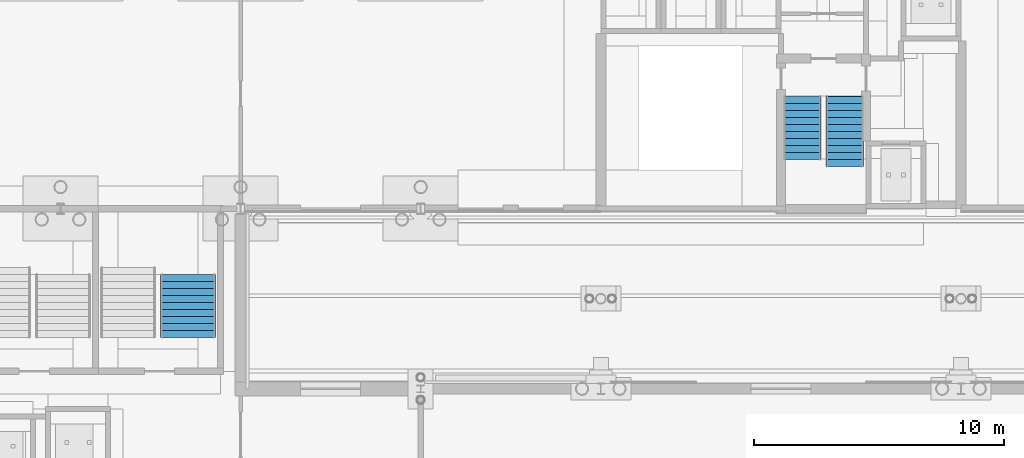
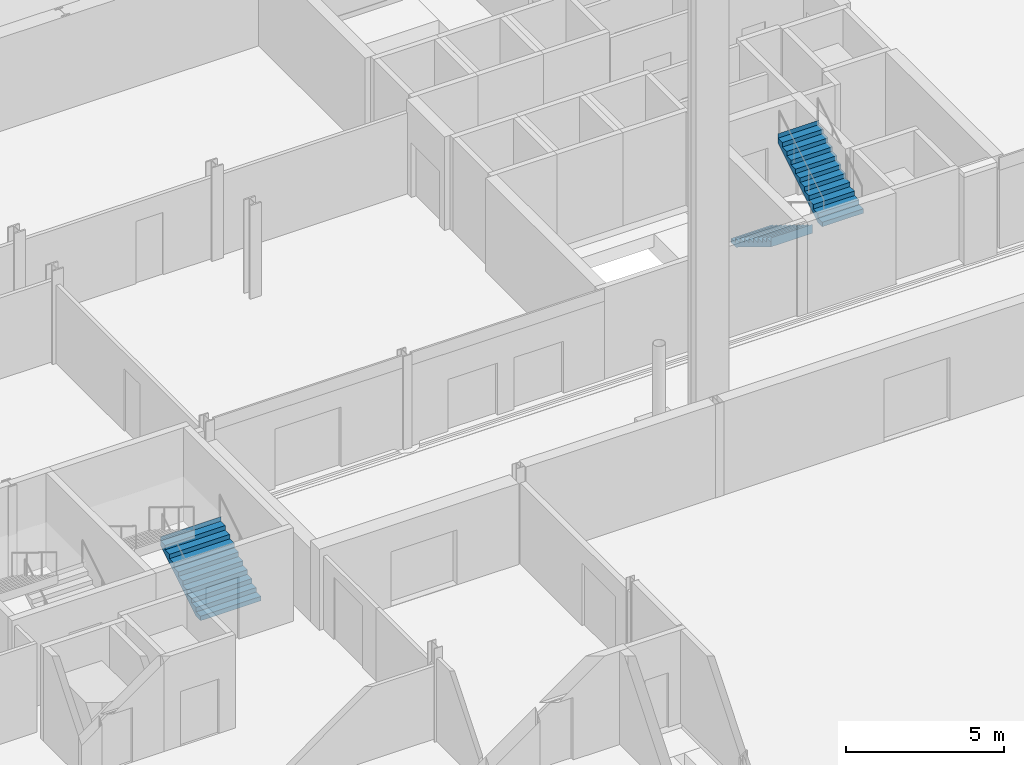
# One storey, part 104 of 148: 3 stair flights, 2 elements without a shape of their own.
"""IFC4 building model written with IfcOpenShell, lengths in metres."""

from ifc_helpers import new_model, si_unit, direction, frame, origin, place, context, subcontext, project, spatial, polyline, outline, extrude, material, type_object, element, aggregate, save


model = new_model("IFC4")

# Units and contexts
model_context = context("Model", 3, precision=1e-05, world=origin(), true_north=direction((0.0, 1.0)))
body_context = subcontext(model_context, "Body", "Model", "MODEL_VIEW")
ifc_project = project(units=[si_unit("LENGTHUNIT", "METRE"), si_unit("AREAUNIT", "SQUARE_METRE"), si_unit("VOLUMEUNIT", "CUBIC_METRE"), si_unit("PLANEANGLEUNIT", "RADIAN"), si_unit("MASSUNIT", "GRAM", prefix="KILO")], contexts=[model_context])

# Site, building, storey
site_placement = place(None, origin())
site = spatial("IfcSite", under=ifc_project, at=site_placement, CompositionType="ELEMENT")
building_placement = place(site_placement, origin())
building = spatial("IfcBuilding", under=site, at=building_placement, Name="Kupolbacken Congress Centre", CompositionType="ELEMENT")
storey_placement = place(building_placement, origin())
storey = spatial("IfcBuildingStorey", under=building, at=storey_placement, Name="L00", CompositionType="ELEMENT", Elevation=0.0)

# Stair, stair flight
ifc_material_1 = material(Name="Concrete C30/37", Category="concrete")
stair_type_1 = type_object("IfcStairType", Name="ST13 stair 2200", PredefinedType="TWO_STRAIGHT_RUN_STAIR", material=ifc_material_1)
stair_1_placement = place(storey_placement, origin())
stair_1 = element("IfcStair", 1, at=stair_1_placement, inside=storey, type_object=stair_type_1, Name="C/stair/PS2NE/L00", PredefinedType="NOTDEFINED")
ifc_material_2 = material(Name="Concrete C30/37", Category="concrete")
stair_flight_type_1 = type_object("IfcStairFlightType", Name="FL13 stair flight 2200 x 10 risers", PredefinedType="STRAIGHT", material=ifc_material_2)
stair_flight_1_placement = place(storey_placement, frame((77.10009765625, 117.2548828125, 0.0), z_axis=(0.0, 0.0, 1.0), x_axis=(0.0, 1.0, 0.0)))
stair_flight_1 = element("IfcStairFlight", 2, at=stair_flight_1_placement, type_object=stair_flight_type_1, Name="PS2NE flight 1", NumberOfRisers=10, NumberOfTreads=9, PredefinedType="STRAIGHT", RiserHeight=0.171428571, TreadLength=0.28, context=body_context, shape_type="SweptSolid", body=[
    extrude(outline(polyline([(0.0, 0.0), (0.0, 0.0009765625), (0.0, 0.002197265625), (0.0, 0.003173828125), (0.0, 0.004150390625), (0.0, 0.00537109375), (0.0, 0.00634765625), (0.0, 0.007568359375), (0.0, 0.008544921875), (0.0, 0.009521484375), (0.0, 0.0107421875), (0.0, 0.01171875), (0.0, 0.0126953125), (0.0, 0.013916015625), (0.0, 0.014892578125), (0.0, 0.015869140625), (0.0, 0.01708984375), (0.0, 0.01806640625), (0.0, 0.019287109375), (0.0, 0.020263671875), (0.0, 0.021240234375), (0.0, 0.0224609375), (0.0, 0.0234375), (0.0, 0.0244140625), (0.0, 0.025634765625), (0.0, 0.026611328125), (0.0, 0.027587890625), (0.0, 0.02880859375), (0.0, 0.02978515625), (0.0, 0.03076171875), (0.0, 0.031982421875), (0.0, 0.032958984375), (0.0, 0.0341796875), (0.0, 0.03515625), (0.0, 0.0361328125), (0.0, 0.037353515625), (0.0, 0.038330078125), (0.0, 0.039306640625), (0.0, 0.04052734375), (0.0, 0.04150390625), (0.0, 0.04248046875), (0.0, 0.043701171875), (0.0, 0.044677734375), (0.0, 0.0458984375), (0.0, 0.046875), (0.0, 0.0478515625), (0.0, 0.049072265625), (0.0, 0.050048828125), (0.0, 0.051025390625), (0.0, 0.05224609375), (0.0, 0.05322265625), (0.0, 0.05419921875), (0.0, 0.055419921875), (0.0, 0.056396484375), (0.0, 0.0576171875), (0.0, 0.05859375), (0.0, 0.0595703125), (0.0, 0.060791015625), (0.0, 0.061767578125), (0.0, 0.062744140625), (0.0, 0.06396484375), (0.0, 0.06494140625), (0.0, 0.06591796875), (0.0, 0.067138671875), (0.0, 0.068115234375), (0.0, 0.069091796875), (0.0, 0.0703125), (0.0, 0.0712890625), (0.0, 0.072509765625), (0.0, 0.073486328125), (0.0, 0.074462890625), (0.0, 0.07568359375), (0.0, 0.07666015625), (0.0, 0.07763671875), (0.0, 0.078857421875), (0.0, 0.079833984375), (0.0, 0.080810546875), (0.0, 0.08203125), (0.0, 0.0830078125), (0.0, 0.084228515625), (0.0, 0.085205078125), (0.0, 0.086181640625), (0.0, 0.08740234375), (0.0, 0.08837890625), (0.0, 0.08935546875), (0.0, 0.090576171875), (0.0, 0.091552734375), (0.0, 0.092529296875), (0.0, 0.09375), (0.0, 0.0947265625), (0.0, 0.095947265625), (0.0, 0.096923828125), (0.0, 0.097900390625), (0.0, 0.09912109375), (0.0, 0.10009765625), (0.0, 0.10107421875), (0.0, 0.102294921875), (0.0, 0.103271484375), (0.0, 0.104248046875), (0.0, 0.10546875), (0.0, 0.1064453125), (0.0, 0.107421875), (0.0, 0.108642578125), (0.0, 0.109619140625), (0.0, 0.11083984375), (0.0, 0.11181640625), (0.0, 0.11279296875), (0.0, 0.114013671875), (0.0, 0.114990234375), (0.0, 0.115966796875), (0.0, 0.1171875), (0.0, 0.1181640625), (0.0, 0.119140625), (0.0, 0.120361328125), (0.0, 0.121337890625), (0.0, 0.12255859375), (0.0, 0.12353515625), (0.0, 0.12451171875), (0.0, 0.125732421875), (0.0, 0.126708984375), (0.0, 0.127685546875), (0.0, 0.12890625), (0.0, 0.1298828125), (0.0, 0.130859375), (0.0, 0.132080078125), (0.0, 0.133056640625), (0.0, 0.13427734375), (0.0, 0.13525390625), (0.0, 0.13623046875), (0.0, 0.137451171875), (0.0, 0.138427734375), (0.0, 0.139404296875), (0.0, 0.140625), (0.0, 0.1416015625), (0.0, 0.142578125), (0.0, 0.143798828125), (0.0, 0.144775390625), (0.0, 0.145751953125), (0.0, 0.14697265625), (0.0, 0.14794921875), (0.0, 0.149169921875), (0.0, 0.150146484375), (0.0, 0.151123046875), (0.0, 0.15234375), (0.0, 0.1533203125), (0.0, 0.154296875), (0.0, 0.155517578125), (0.0, 0.156494140625), (0.0, 0.157470703125), (0.0, 0.15869140625), (0.0, 0.15966796875), (0.0, 0.160888671875), (0.0, 0.161865234375), (0.0, 0.162841796875), (0.0, 0.1640625), (0.0, 0.1650390625), (0.0, 0.166015625), (0.0, 0.167236328125), (0.0, 0.168212890625), (0.0, 0.169189453125), (0.0, 0.17041015625), (0.0, 0.17138671875), (0.280029296875, 0.17138671875), (0.280029296875, 0.3427734375), (0.56005859375, 0.3427734375), (0.56005859375, 0.514404296875), (0.840087890625, 0.514404296875), (0.840087890625, 0.685791015625), (1.1201171875, 0.685791015625), (1.1201171875, 0.857177734375), (1.39990234375, 0.857177734375), (1.39990234375, 1.028564453125), (1.679931640625, 1.028564453125), (1.679931640625, 1.199951171875), (1.9599609375, 1.199951171875), (1.9599609375, 1.371337890625), (2.239990234375, 1.371337890625), (2.239990234375, 1.54296875), (2.52001953125, 1.54296875), (2.52001953125, 1.71435546875), (2.52197265625, 1.71435546875), (2.52197265625, 1.712158203125), (2.52197265625, 1.7099609375), (2.52197265625, 1.707763671875), (2.52197265625, 1.70556640625), (2.52197265625, 1.70361328125), (2.52197265625, 1.701416015625), (2.52197265625, 1.69921875), (2.52197265625, 1.697021484375), (2.52197265625, 1.69482421875), (2.52197265625, 1.692626953125), (2.52197265625, 1.690673828125), (2.52197265625, 1.6884765625), (2.52197265625, 1.686279296875), (2.52197265625, 1.68408203125), (2.52197265625, 1.681884765625), (2.52197265625, 1.6796875), (2.52197265625, 1.677734375), (2.52197265625, 1.675537109375), (2.52197265625, 1.67333984375), (2.52197265625, 1.671142578125), (2.52197265625, 1.6689453125), (2.52197265625, 1.666748046875), (2.52197265625, 1.664794921875), (2.52197265625, 1.66259765625), (2.52197265625, 1.660400390625), (2.52197265625, 1.658203125), (2.52197265625, 1.656005859375), (2.52197265625, 1.65380859375), (2.52197265625, 1.65185546875), (2.52197265625, 1.649658203125), (2.52197265625, 1.6474609375), (2.52197265625, 1.645263671875), (2.52197265625, 1.64306640625), (2.52197265625, 1.640869140625), (2.52197265625, 1.638916015625), (2.52197265625, 1.63671875), (2.52197265625, 1.634521484375), (2.52197265625, 1.63232421875), (2.52197265625, 1.630126953125), (2.52197265625, 1.6279296875), (2.52197265625, 1.6259765625), (2.52197265625, 1.623779296875), (2.52197265625, 1.62158203125), (2.52197265625, 1.619384765625), (2.52197265625, 1.6171875), (2.52197265625, 1.614990234375), (2.52197265625, 1.613037109375), (2.52197265625, 1.61083984375), (2.52197265625, 1.608642578125), (2.52197265625, 1.6064453125), (2.52197265625, 1.604248046875), (2.52197265625, 1.60205078125), (2.52197265625, 1.60009765625), (2.52197265625, 1.597900390625), (2.52197265625, 1.595703125), (2.52197265625, 1.593505859375), (2.52197265625, 1.59130859375), (2.52197265625, 1.589111328125), (2.52197265625, 1.587158203125), (2.52197265625, 1.5849609375), (2.52197265625, 1.582763671875), (2.52197265625, 1.58056640625), (2.52197265625, 1.578369140625), (2.52197265625, 1.576171875), (2.52197265625, 1.57421875), (2.52197265625, 1.572021484375), (2.52197265625, 1.56982421875), (2.52197265625, 1.567626953125), (2.52197265625, 1.5654296875), (2.52197265625, 1.563232421875), (2.52197265625, 1.561279296875), (2.52197265625, 1.55908203125), (2.52197265625, 1.556884765625), (2.52197265625, 1.5546875), (2.52197265625, 1.552490234375), (2.52197265625, 1.55029296875), (2.52197265625, 1.54833984375), (2.52197265625, 1.546142578125), (2.52197265625, 1.5439453125), (2.52197265625, 1.541748046875), (2.52197265625, 1.53955078125), (2.52197265625, 1.537353515625), (2.52197265625, 1.535400390625), (2.52197265625, 1.533203125), (2.52197265625, 1.531005859375), (2.52197265625, 1.52880859375), (2.52197265625, 1.526611328125), (2.52197265625, 1.5244140625), (2.52197265625, 1.5224609375), (2.52197265625, 1.520263671875), (2.52197265625, 1.51806640625), (2.52197265625, 1.515869140625), (2.52197265625, 1.513671875), (2.52197265625, 1.511474609375), (2.52197265625, 1.509521484375), (2.52197265625, 1.50732421875), (2.52197265625, 1.505126953125), (2.52197265625, 1.5029296875), (2.52197265625, 1.500732421875), (2.52197265625, 1.49853515625), (2.52197265625, 1.49658203125), (2.52197265625, 1.494384765625), (2.52197265625, 1.4921875), (2.52197265625, 1.489990234375), (2.52197265625, 1.48779296875), (2.52197265625, 1.485595703125), (2.52197265625, 1.483642578125), (2.52197265625, 1.4814453125), (2.52197265625, 1.479248046875), (2.52197265625, 1.47705078125), (2.52197265625, 1.474853515625), (2.52197265625, 1.47265625), (2.52197265625, 1.470703125), (2.52197265625, 1.468505859375), (2.52197265625, 1.46630859375), (2.52197265625, 1.464111328125), (2.52197265625, 1.4619140625), (2.52197265625, 1.459716796875), (2.52197265625, 1.457763671875), (2.52197265625, 1.45556640625), (2.52197265625, 1.453369140625), (2.52197265625, 1.451171875), (2.52197265625, 1.448974609375), (2.52197265625, 1.44677734375), (2.52197265625, 1.44482421875), (2.52197265625, 1.442626953125), (2.52197265625, 1.4404296875), (2.52197265625, 1.438232421875), (2.52197265625, 1.43603515625), (2.52197265625, 1.433837890625), (2.52197265625, 1.431884765625), (2.52197265625, 1.4296875), (2.52197265625, 1.427490234375), (2.52197265625, 1.42529296875), (2.52197265625, 1.423095703125), (2.52197265625, 1.4208984375), (2.52197265625, 1.4189453125), (2.52197265625, 1.416748046875), (2.52197265625, 1.41455078125), (2.52197265625, 1.412353515625), (2.52197265625, 1.41015625), (2.52197265625, 1.407958984375), (2.52197265625, 1.406005859375), (2.52197265625, 1.40380859375), (2.52197265625, 1.401611328125), (2.52197265625, 1.3994140625), (2.52197265625, 1.397216796875), (2.52197265625, 1.39501953125), (2.52197265625, 1.39306640625), (2.52197265625, 1.390869140625), (2.52197265625, 1.388671875), (2.52197265625, 1.386474609375), (2.52197265625, 1.38427734375), (2.52197265625, 1.382080078125), (2.52197265625, 1.380126953125), (2.52197265625, 1.3779296875), (2.52197265625, 1.375732421875), (2.52197265625, 1.37353515625), (2.52197265625, 1.371337890625), (2.52197265625, 1.369140625), (2.52197265625, 1.3671875), (0.2890625, 0.0), (0.0, 0.0)])), frame((0.0, 1.10009765625, 0.0), z_axis=(0.0, -1.0, 0.0), x_axis=(1.0, 0.0, 0.0)), (0.0, 0.0, 1.0), 2.199951171875),
])
aggregate(stair_1, [stair_flight_1])

# Stair, stair flights
ifc_material_3 = material(Name="Steel S355", Category="steel")
stair_type_2 = type_object("IfcStairType", Name="ST2 stair 1500", PredefinedType="TWO_STRAIGHT_RUN_STAIR", material=ifc_material_3)
stair_2_placement = place(storey_placement, origin())
stair_2 = element("IfcStair", 3, at=stair_2_placement, inside=storey, type_object=stair_type_2, Name="C/stair/TS1/L00", PredefinedType="NOTDEFINED")
ifc_material_4 = material(Name="Steel S355", Category="steel")
stair_flight_type_2 = type_object("IfcStairFlightType", Name="FL3 stair flight 1500 x 10 risers", PredefinedType="STRAIGHT", material=ifc_material_4)
stair_flight_2_placement = place(storey_placement, frame((101.64990234375, 126.89501953125, 0.0), z_axis=(0.0, 0.0, 1.0), x_axis=(0.0, -1.0, 0.0)))
stair_flight_2 = element("IfcStairFlight", 4, at=stair_flight_2_placement, type_object=stair_flight_type_2, Name="TS1 flight 1", NumberOfRisers=10, NumberOfTreads=9, PredefinedType="STRAIGHT", RiserHeight=0.171428571, TreadLength=0.28, context=body_context, shape_type="SweptSolid", body=[
    extrude(outline(polyline([(0.0, 0.0), (0.0, 0.0009765625), (0.0, 0.002197265625), (0.0, 0.003173828125), (0.0, 0.004150390625), (0.0, 0.00537109375), (0.0, 0.00634765625), (0.0, 0.007568359375), (0.0, 0.008544921875), (0.0, 0.009521484375), (0.0, 0.0107421875), (0.0, 0.01171875), (0.0, 0.0126953125), (0.0, 0.013916015625), (0.0, 0.014892578125), (0.0, 0.015869140625), (0.0, 0.01708984375), (0.0, 0.01806640625), (0.0, 0.019287109375), (0.0, 0.020263671875), (0.0, 0.021240234375), (0.0, 0.0224609375), (0.0, 0.0234375), (0.0, 0.0244140625), (0.0, 0.025634765625), (0.0, 0.026611328125), (0.0, 0.027587890625), (0.0, 0.02880859375), (0.0, 0.02978515625), (0.0, 0.03076171875), (0.0, 0.031982421875), (0.0, 0.032958984375), (0.0, 0.0341796875), (0.0, 0.03515625), (0.0, 0.0361328125), (0.0, 0.037353515625), (0.0, 0.038330078125), (0.0, 0.039306640625), (0.0, 0.04052734375), (0.0, 0.04150390625), (0.0, 0.04248046875), (0.0, 0.043701171875), (0.0, 0.044677734375), (0.0, 0.0458984375), (0.0, 0.046875), (0.0, 0.0478515625), (0.0, 0.049072265625), (0.0, 0.050048828125), (0.0, 0.051025390625), (0.0, 0.05224609375), (0.0, 0.05322265625), (0.0, 0.05419921875), (0.0, 0.055419921875), (0.0, 0.056396484375), (0.0, 0.0576171875), (0.0, 0.05859375), (0.0, 0.0595703125), (0.0, 0.060791015625), (0.0, 0.061767578125), (0.0, 0.062744140625), (0.0, 0.06396484375), (0.0, 0.06494140625), (0.0, 0.06591796875), (0.0, 0.067138671875), (0.0, 0.068115234375), (0.0, 0.069091796875), (0.0, 0.0703125), (0.0, 0.0712890625), (0.0, 0.072509765625), (0.0, 0.073486328125), (0.0, 0.074462890625), (0.0, 0.07568359375), (0.0, 0.07666015625), (0.0, 0.07763671875), (0.0, 0.078857421875), (0.0, 0.079833984375), (0.0, 0.080810546875), (0.0, 0.08203125), (0.0, 0.0830078125), (0.0, 0.084228515625), (0.0, 0.085205078125), (0.0, 0.086181640625), (0.0, 0.08740234375), (0.0, 0.08837890625), (0.0, 0.08935546875), (0.0, 0.090576171875), (0.0, 0.091552734375), (0.0, 0.092529296875), (0.0, 0.09375), (0.0, 0.0947265625), (0.0, 0.095947265625), (0.0, 0.096923828125), (0.0, 0.097900390625), (0.0, 0.09912109375), (0.0, 0.10009765625), (0.0, 0.10107421875), (0.0, 0.102294921875), (0.0, 0.103271484375), (0.0, 0.104248046875), (0.0, 0.10546875), (0.0, 0.1064453125), (0.0, 0.107421875), (0.0, 0.108642578125), (0.0, 0.109619140625), (0.0, 0.11083984375), (0.0, 0.11181640625), (0.0, 0.11279296875), (0.0, 0.114013671875), (0.0, 0.114990234375), (0.0, 0.115966796875), (0.0, 0.1171875), (0.0, 0.1181640625), (0.0, 0.119140625), (0.0, 0.120361328125), (0.0, 0.121337890625), (0.0, 0.12255859375), (0.0, 0.12353515625), (0.0, 0.12451171875), (0.0, 0.125732421875), (0.0, 0.126708984375), (0.0, 0.127685546875), (0.0, 0.12890625), (0.0, 0.1298828125), (0.0, 0.130859375), (0.0, 0.132080078125), (0.0, 0.133056640625), (0.0, 0.13427734375), (0.0, 0.13525390625), (0.0, 0.13623046875), (0.0, 0.137451171875), (0.0, 0.138427734375), (0.0, 0.139404296875), (0.0, 0.140625), (0.0, 0.1416015625), (0.0, 0.142578125), (0.0, 0.143798828125), (0.0, 0.144775390625), (0.0, 0.145751953125), (0.0, 0.14697265625), (0.0, 0.14794921875), (0.0, 0.149169921875), (0.0, 0.150146484375), (0.0, 0.151123046875), (0.0, 0.15234375), (0.0, 0.1533203125), (0.0, 0.154296875), (0.0, 0.155517578125), (0.0, 0.156494140625), (0.0, 0.157470703125), (0.0, 0.15869140625), (0.0, 0.15966796875), (0.0, 0.160888671875), (0.0, 0.161865234375), (0.0, 0.162841796875), (0.0, 0.1640625), (0.0, 0.1650390625), (0.0, 0.166015625), (0.0, 0.167236328125), (0.0, 0.168212890625), (0.0, 0.169189453125), (0.0, 0.17041015625), (0.0, 0.17138671875), (0.280029296875, 0.17138671875), (0.280029296875, 0.3427734375), (0.56005859375, 0.3427734375), (0.56005859375, 0.514404296875), (0.840087890625, 0.514404296875), (0.840087890625, 0.685791015625), (1.1201171875, 0.685791015625), (1.1201171875, 0.857177734375), (1.39990234375, 0.857177734375), (1.39990234375, 1.028564453125), (1.679931640625, 1.028564453125), (1.679931640625, 1.199951171875), (1.9599609375, 1.199951171875), (1.9599609375, 1.371337890625), (2.239990234375, 1.371337890625), (2.239990234375, 1.54296875), (2.52001953125, 1.54296875), (2.52001953125, 1.71435546875), (2.52197265625, 1.71435546875), (2.52197265625, 1.712158203125), (2.52197265625, 1.7099609375), (2.52197265625, 1.707763671875), (2.52197265625, 1.70556640625), (2.52197265625, 1.70361328125), (2.52197265625, 1.701416015625), (2.52197265625, 1.69921875), (2.52197265625, 1.697021484375), (2.52197265625, 1.69482421875), (2.52197265625, 1.692626953125), (2.52197265625, 1.690673828125), (2.52197265625, 1.6884765625), (2.52197265625, 1.686279296875), (2.52197265625, 1.68408203125), (2.52197265625, 1.681884765625), (2.52197265625, 1.6796875), (2.52197265625, 1.677734375), (2.52197265625, 1.675537109375), (2.52197265625, 1.67333984375), (2.52197265625, 1.671142578125), (2.52197265625, 1.6689453125), (2.52197265625, 1.666748046875), (2.52197265625, 1.664794921875), (2.52197265625, 1.66259765625), (2.52197265625, 1.660400390625), (2.52197265625, 1.658203125), (2.52197265625, 1.656005859375), (2.52197265625, 1.65380859375), (2.52197265625, 1.65185546875), (2.52197265625, 1.649658203125), (2.52197265625, 1.6474609375), (2.52197265625, 1.645263671875), (2.52197265625, 1.64306640625), (2.52197265625, 1.640869140625), (2.52197265625, 1.638916015625), (2.52197265625, 1.63671875), (2.52197265625, 1.634521484375), (2.52197265625, 1.63232421875), (2.52197265625, 1.630126953125), (2.52197265625, 1.6279296875), (2.52197265625, 1.6259765625), (2.52197265625, 1.623779296875), (2.52197265625, 1.62158203125), (2.52197265625, 1.619384765625), (2.52197265625, 1.6171875), (2.52197265625, 1.614990234375), (2.52197265625, 1.613037109375), (2.52197265625, 1.61083984375), (2.52197265625, 1.608642578125), (2.52197265625, 1.6064453125), (2.52197265625, 1.604248046875), (2.52197265625, 1.60205078125), (2.52197265625, 1.60009765625), (2.52197265625, 1.597900390625), (2.52197265625, 1.595703125), (2.52197265625, 1.593505859375), (2.52197265625, 1.59130859375), (2.52197265625, 1.589111328125), (2.52197265625, 1.587158203125), (2.52197265625, 1.5849609375), (2.52197265625, 1.582763671875), (2.52197265625, 1.58056640625), (2.52197265625, 1.578369140625), (2.52197265625, 1.576171875), (2.52197265625, 1.57421875), (2.52197265625, 1.572021484375), (2.52197265625, 1.56982421875), (2.52197265625, 1.567626953125), (2.52197265625, 1.5654296875), (2.52197265625, 1.563232421875), (2.52197265625, 1.561279296875), (2.52197265625, 1.55908203125), (2.52197265625, 1.556884765625), (2.52197265625, 1.5546875), (2.52197265625, 1.552490234375), (2.52197265625, 1.55029296875), (2.52197265625, 1.54833984375), (2.52197265625, 1.546142578125), (2.52197265625, 1.5439453125), (2.52197265625, 1.541748046875), (2.52197265625, 1.53955078125), (2.52197265625, 1.537353515625), (2.52197265625, 1.535400390625), (2.52197265625, 1.533203125), (2.52197265625, 1.531005859375), (2.52197265625, 1.52880859375), (2.52197265625, 1.526611328125), (2.52197265625, 1.5244140625), (2.52197265625, 1.5224609375), (2.52197265625, 1.520263671875), (2.52197265625, 1.51806640625), (2.52197265625, 1.515869140625), (2.52197265625, 1.513671875), (2.52197265625, 1.511474609375), (2.52197265625, 1.509521484375), (2.52197265625, 1.50732421875), (2.52197265625, 1.505126953125), (2.52197265625, 1.5029296875), (2.52197265625, 1.500732421875), (2.52197265625, 1.49853515625), (2.52197265625, 1.49658203125), (2.52197265625, 1.494384765625), (2.52197265625, 1.4921875), (2.52197265625, 1.489990234375), (2.52197265625, 1.48779296875), (2.52197265625, 1.485595703125), (2.52197265625, 1.483642578125), (2.52197265625, 1.4814453125), (2.52197265625, 1.479248046875), (2.52197265625, 1.47705078125), (2.52197265625, 1.474853515625), (2.52197265625, 1.47265625), (2.52197265625, 1.470703125), (2.52197265625, 1.468505859375), (2.52197265625, 1.46630859375), (2.52197265625, 1.464111328125), (2.52197265625, 1.4619140625), (2.52197265625, 1.459716796875), (2.52197265625, 1.457763671875), (2.52197265625, 1.45556640625), (2.52197265625, 1.453369140625), (2.52197265625, 1.451171875), (2.52197265625, 1.448974609375), (2.52197265625, 1.44677734375), (2.52197265625, 1.44482421875), (2.52197265625, 1.442626953125), (2.52197265625, 1.4404296875), (2.52197265625, 1.438232421875), (2.52197265625, 1.43603515625), (2.52197265625, 1.433837890625), (2.52197265625, 1.431884765625), (2.52197265625, 1.4296875), (2.52197265625, 1.427490234375), (2.52197265625, 1.42529296875), (2.52197265625, 1.423095703125), (2.52197265625, 1.4208984375), (2.52197265625, 1.4189453125), (2.52197265625, 1.416748046875), (2.52197265625, 1.41455078125), (2.52197265625, 1.412353515625), (2.52197265625, 1.41015625), (2.52197265625, 1.407958984375), (2.52197265625, 1.406005859375), (2.52197265625, 1.40380859375), (2.52197265625, 1.401611328125), (2.52197265625, 1.3994140625), (2.52197265625, 1.397216796875), (2.52197265625, 1.39501953125), (2.52197265625, 1.39306640625), (2.52197265625, 1.390869140625), (2.52197265625, 1.388671875), (2.52197265625, 1.386474609375), (2.52197265625, 1.38427734375), (2.52197265625, 1.382080078125), (2.52197265625, 1.380126953125), (2.52197265625, 1.3779296875), (2.52197265625, 1.375732421875), (2.52197265625, 1.37353515625), (2.52197265625, 1.371337890625), (2.52197265625, 1.369140625), (2.52197265625, 1.3671875), (0.2890625, 0.0), (0.0, 0.0)])), frame((0.0, 0.75, 0.0), z_axis=(0.0, -1.0, 0.0), x_axis=(1.0, 0.0, 0.0)), (0.0, 0.0, 1.0), 1.5),
])
ifc_material_5 = material(Name="Steel S355", Category="steel")
stair_flight_type_3 = type_object("IfcStairFlightType", Name="FL4 stair flight 1500 x 11 risers", PredefinedType="STRAIGHT", material=ifc_material_5)
stair_flight_3_placement = place(storey_placement, frame((103.35009765625, 124.094970703125, 1.71435546875), z_axis=(0.0, 0.0, 1.0), x_axis=(0.0, 1.0, 0.0)))
stair_flight_3 = element("IfcStairFlight", 5, at=stair_flight_3_placement, type_object=stair_flight_type_3, Name="TS1 flight 2", NumberOfRisers=11, NumberOfTreads=10, PredefinedType="STRAIGHT", RiserHeight=0.171428571, TreadLength=0.28, context=body_context, shape_type="SweptSolid", body=[
    extrude(outline(polyline([(0.0, 0.0), (0.0, 0.0009765625), (0.0, 0.002197265625), (0.0, 0.003173828125), (0.0, 0.004150390625), (0.0, 0.00537109375), (0.0, 0.00634765625), (0.0, 0.007568359375), (0.0, 0.008544921875), (0.0, 0.009521484375), (0.0, 0.0107421875), (0.0, 0.01171875), (0.0, 0.0126953125), (0.0, 0.013916015625), (0.0, 0.014892578125), (0.0, 0.015869140625), (0.0, 0.01708984375), (0.0, 0.01806640625), (0.0, 0.019287109375), (0.0, 0.020263671875), (0.0, 0.021240234375), (0.0, 0.0224609375), (0.0, 0.0234375), (0.0, 0.0244140625), (0.0, 0.025634765625), (0.0, 0.026611328125), (0.0, 0.027587890625), (0.0, 0.02880859375), (0.0, 0.02978515625), (0.0, 0.03076171875), (0.0, 0.031982421875), (0.0, 0.032958984375), (0.0, 0.0341796875), (0.0, 0.03515625), (0.0, 0.0361328125), (0.0, 0.037353515625), (0.0, 0.038330078125), (0.0, 0.039306640625), (0.0, 0.04052734375), (0.0, 0.04150390625), (0.0, 0.04248046875), (0.0, 0.043701171875), (0.0, 0.044677734375), (0.0, 0.0458984375), (0.0, 0.046875), (0.0, 0.0478515625), (0.0, 0.049072265625), (0.0, 0.050048828125), (0.0, 0.051025390625), (0.0, 0.05224609375), (0.0, 0.05322265625), (0.0, 0.05419921875), (0.0, 0.055419921875), (0.0, 0.056396484375), (0.0, 0.0576171875), (0.0, 0.05859375), (0.0, 0.0595703125), (0.0, 0.060791015625), (0.0, 0.061767578125), (0.0, 0.062744140625), (0.0, 0.06396484375), (0.0, 0.06494140625), (0.0, 0.06591796875), (0.0, 0.067138671875), (0.0, 0.068115234375), (0.0, 0.069091796875), (0.0, 0.0703125), (0.0, 0.0712890625), (0.0, 0.072509765625), (0.0, 0.073486328125), (0.0, 0.074462890625), (0.0, 0.07568359375), (0.0, 0.07666015625), (0.0, 0.07763671875), (0.0, 0.078857421875), (0.0, 0.079833984375), (0.0, 0.080810546875), (0.0, 0.08203125), (0.0, 0.0830078125), (0.0, 0.084228515625), (0.0, 0.085205078125), (0.0, 0.086181640625), (0.0, 0.08740234375), (0.0, 0.08837890625), (0.0, 0.08935546875), (0.0, 0.090576171875), (0.0, 0.091552734375), (0.0, 0.092529296875), (0.0, 0.09375), (0.0, 0.0947265625), (0.0, 0.095947265625), (0.0, 0.096923828125), (0.0, 0.097900390625), (0.0, 0.09912109375), (0.0, 0.10009765625), (0.0, 0.10107421875), (0.0, 0.102294921875), (0.0, 0.103271484375), (0.0, 0.104248046875), (0.0, 0.10546875), (0.0, 0.1064453125), (0.0, 0.107421875), (0.0, 0.108642578125), (0.0, 0.109619140625), (0.0, 0.11083984375), (0.0, 0.11181640625), (0.0, 0.11279296875), (0.0, 0.114013671875), (0.0, 0.114990234375), (0.0, 0.115966796875), (0.0, 0.1171875), (0.0, 0.1181640625), (0.0, 0.119140625), (0.0, 0.120361328125), (0.0, 0.121337890625), (0.0, 0.12255859375), (0.0, 0.12353515625), (0.0, 0.12451171875), (0.0, 0.125732421875), (0.0, 0.126708984375), (0.0, 0.127685546875), (0.0, 0.12890625), (0.0, 0.1298828125), (0.0, 0.130859375), (0.0, 0.132080078125), (0.0, 0.133056640625), (0.0, 0.13427734375), (0.0, 0.13525390625), (0.0, 0.13623046875), (0.0, 0.137451171875), (0.0, 0.138427734375), (0.0, 0.139404296875), (0.0, 0.140625), (0.0, 0.1416015625), (0.0, 0.142578125), (0.0, 0.143798828125), (0.0, 0.144775390625), (0.0, 0.145751953125), (0.0, 0.14697265625), (0.0, 0.14794921875), (0.0, 0.149169921875), (0.0, 0.150146484375), (0.0, 0.151123046875), (0.0, 0.15234375), (0.0, 0.1533203125), (0.0, 0.154296875), (0.0, 0.155517578125), (0.0, 0.156494140625), (0.0, 0.157470703125), (0.0, 0.15869140625), (0.0, 0.15966796875), (0.0, 0.160888671875), (0.0, 0.161865234375), (0.0, 0.162841796875), (0.0, 0.1640625), (0.0, 0.1650390625), (0.0, 0.166015625), (0.0, 0.167236328125), (0.0, 0.168212890625), (0.0, 0.169189453125), (0.0, 0.17041015625), (0.0, 0.17138671875), (0.280029296875, 0.17138671875), (0.280029296875, 0.3427734375), (0.56005859375, 0.3427734375), (0.56005859375, 0.514404296875), (0.840087890625, 0.514404296875), (0.840087890625, 0.685791015625), (1.1201171875, 0.685791015625), (1.1201171875, 0.857177734375), (1.39990234375, 0.857177734375), (1.39990234375, 1.028564453125), (1.679931640625, 1.028564453125), (1.679931640625, 1.199951171875), (1.9599609375, 1.199951171875), (1.9599609375, 1.371337890625), (2.239990234375, 1.371337890625), (2.239990234375, 1.54296875), (2.52001953125, 1.54296875), (2.52001953125, 1.71435546875), (2.800048828125, 1.71435546875), (2.800048828125, 1.8857421875), (2.802001953125, 1.8857421875), (2.802001953125, 1.883544921875), (2.802001953125, 1.88134765625), (2.802001953125, 1.879150390625), (2.802001953125, 1.877197265625), (2.802001953125, 1.875), (2.802001953125, 1.872802734375), (2.802001953125, 1.87060546875), (2.802001953125, 1.868408203125), (2.802001953125, 1.8662109375), (2.802001953125, 1.8642578125), (2.802001953125, 1.862060546875), (2.802001953125, 1.85986328125), (2.802001953125, 1.857666015625), (2.802001953125, 1.85546875), (2.802001953125, 1.853271484375), (2.802001953125, 1.851318359375), (2.802001953125, 1.84912109375), (2.802001953125, 1.846923828125), (2.802001953125, 1.8447265625), (2.802001953125, 1.842529296875), (2.802001953125, 1.84033203125), (2.802001953125, 1.83837890625), (2.802001953125, 1.836181640625), (2.802001953125, 1.833984375), (2.802001953125, 1.831787109375), (2.802001953125, 1.82958984375), (2.802001953125, 1.827392578125), (2.802001953125, 1.825439453125), (2.802001953125, 1.8232421875), (2.802001953125, 1.821044921875), (2.802001953125, 1.81884765625), (2.802001953125, 1.816650390625), (2.802001953125, 1.814453125), (2.802001953125, 1.8125), (2.802001953125, 1.810302734375), (2.802001953125, 1.80810546875), (2.802001953125, 1.805908203125), (2.802001953125, 1.8037109375), (2.802001953125, 1.801513671875), (2.802001953125, 1.799560546875), (2.802001953125, 1.79736328125), (2.802001953125, 1.795166015625), (2.802001953125, 1.79296875), (2.802001953125, 1.790771484375), (2.802001953125, 1.78857421875), (2.802001953125, 1.78662109375), (2.802001953125, 1.784423828125), (2.802001953125, 1.7822265625), (2.802001953125, 1.780029296875), (2.802001953125, 1.77783203125), (2.802001953125, 1.775634765625), (2.802001953125, 1.773681640625), (2.802001953125, 1.771484375), (2.802001953125, 1.769287109375), (2.802001953125, 1.76708984375), (2.802001953125, 1.764892578125), (2.802001953125, 1.7626953125), (2.802001953125, 1.7607421875), (2.802001953125, 1.758544921875), (2.802001953125, 1.75634765625), (2.802001953125, 1.754150390625), (2.802001953125, 1.751953125), (2.802001953125, 1.749755859375), (2.802001953125, 1.747802734375), (2.802001953125, 1.74560546875), (2.802001953125, 1.743408203125), (2.802001953125, 1.7412109375), (2.802001953125, 1.739013671875), (2.802001953125, 1.73681640625), (2.802001953125, 1.73486328125), (2.802001953125, 1.732666015625), (2.802001953125, 1.73046875), (2.802001953125, 1.728271484375), (2.802001953125, 1.72607421875), (2.802001953125, 1.723876953125), (2.802001953125, 1.721923828125), (2.802001953125, 1.7197265625), (2.802001953125, 1.717529296875), (2.802001953125, 1.71533203125), (2.802001953125, 1.713134765625), (2.802001953125, 1.7109375), (2.802001953125, 1.708984375), (2.802001953125, 1.706787109375), (2.802001953125, 1.70458984375), (2.802001953125, 1.702392578125), (2.802001953125, 1.7001953125), (2.802001953125, 1.697998046875), (2.802001953125, 1.696044921875), (2.802001953125, 1.69384765625), (2.802001953125, 1.691650390625), (2.802001953125, 1.689453125), (2.802001953125, 1.687255859375), (2.802001953125, 1.68505859375), (2.802001953125, 1.68310546875), (2.802001953125, 1.680908203125), (2.802001953125, 1.6787109375), (2.802001953125, 1.676513671875), (2.802001953125, 1.67431640625), (2.802001953125, 1.672119140625), (2.802001953125, 1.670166015625), (2.802001953125, 1.66796875), (2.802001953125, 1.665771484375), (2.802001953125, 1.66357421875), (2.802001953125, 1.661376953125), (2.802001953125, 1.6591796875), (2.802001953125, 1.6572265625), (2.802001953125, 1.655029296875), (2.802001953125, 1.65283203125), (2.802001953125, 1.650634765625), (2.802001953125, 1.6484375), (2.802001953125, 1.646240234375), (2.802001953125, 1.644287109375), (2.802001953125, 1.64208984375), (2.802001953125, 1.639892578125), (2.802001953125, 1.6376953125), (2.802001953125, 1.635498046875), (2.802001953125, 1.63330078125), (2.802001953125, 1.63134765625), (2.802001953125, 1.629150390625), (2.802001953125, 1.626953125), (2.802001953125, 1.624755859375), (2.802001953125, 1.62255859375), (2.802001953125, 1.620361328125), (2.802001953125, 1.618408203125), (2.802001953125, 1.6162109375), (2.802001953125, 1.614013671875), (2.802001953125, 1.61181640625), (2.802001953125, 1.609619140625), (2.802001953125, 1.607421875), (2.802001953125, 1.60546875), (2.802001953125, 1.603271484375), (2.802001953125, 1.60107421875), (2.802001953125, 1.598876953125), (2.802001953125, 1.5966796875), (2.802001953125, 1.594482421875), (2.802001953125, 1.592529296875), (2.802001953125, 1.59033203125), (2.802001953125, 1.588134765625), (2.802001953125, 1.5859375), (2.802001953125, 1.583740234375), (2.802001953125, 1.58154296875), (2.802001953125, 1.57958984375), (2.802001953125, 1.577392578125), (2.802001953125, 1.5751953125), (2.802001953125, 1.572998046875), (2.802001953125, 1.57080078125), (2.802001953125, 1.568603515625), (2.802001953125, 1.566650390625), (2.802001953125, 1.564453125), (2.802001953125, 1.562255859375), (2.802001953125, 1.56005859375), (2.802001953125, 1.557861328125), (2.802001953125, 1.5556640625), (2.802001953125, 1.5537109375), (2.802001953125, 1.551513671875), (2.802001953125, 1.54931640625), (2.802001953125, 1.547119140625), (2.802001953125, 1.544921875), (2.802001953125, 1.542724609375), (2.802001953125, 1.540771484375), (2.802001953125, 1.53857421875), (0.2890625, 0.0), (0.0, 0.0)])), frame((0.0, 0.75, 0.0), z_axis=(0.0, -1.0, 0.0), x_axis=(1.0, 0.0, 0.0)), (0.0, 0.0, 1.0), 1.5),
])
aggregate(stair_2, [stair_flight_2, stair_flight_3])

save(model, "model.ifc")
